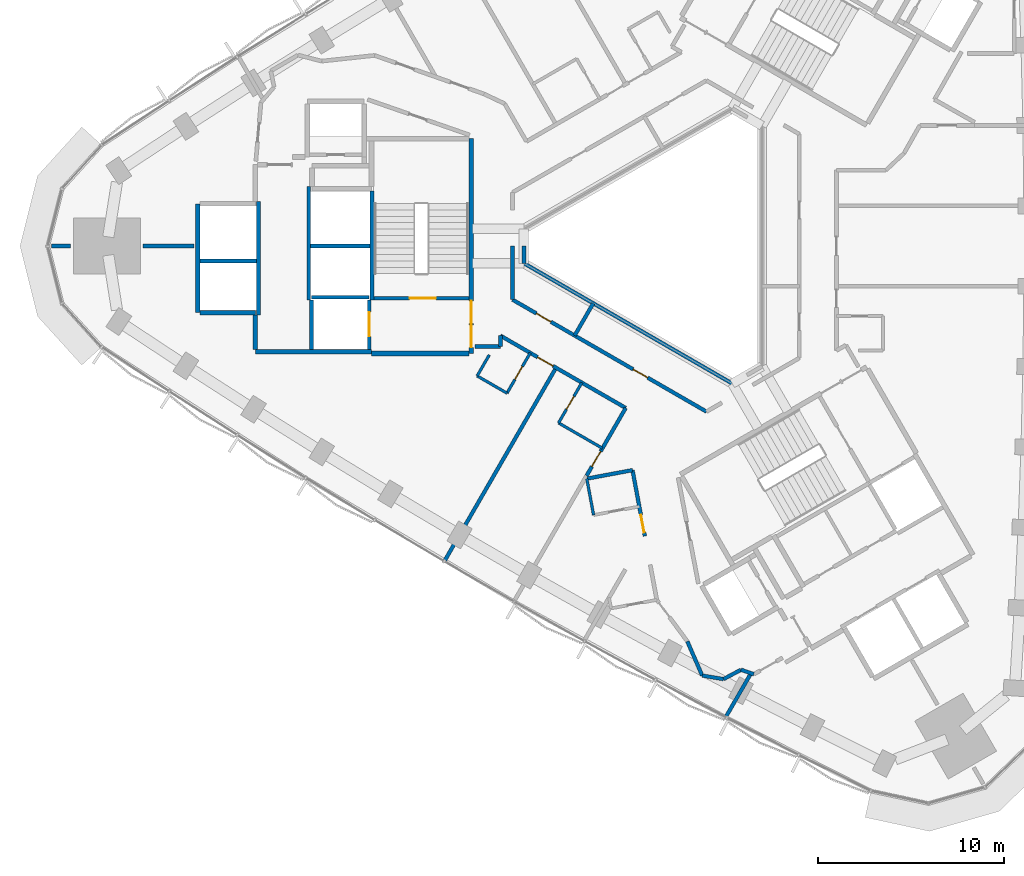
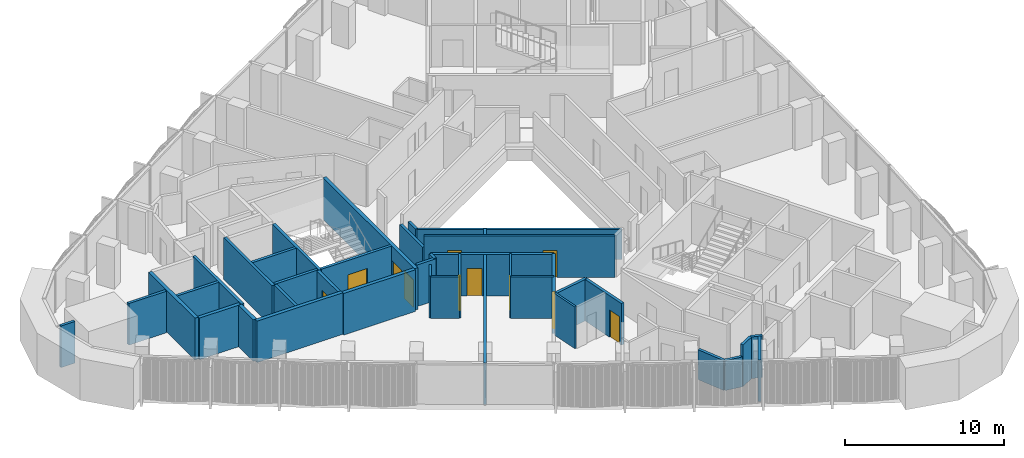
# One storey, part 8 of 15: 40 walls, 11 doors, 11 openings.
"""IFC4 building model written with IfcOpenShell, lengths in metres."""

from ifc_helpers import new_model, si_unit, direction, frame, frame_2d, origin, place, context, subcontext, project, spatial, rectangle, extrude, material, layer, layer_set, type_object, element, fill, save


model = new_model("IFC4")

# Units and contexts
model_context = context("Model", 3, precision=1e-05, world=origin(), true_north=direction((0.0, 1.0)))
body_context = subcontext(model_context, "Body", "Model", "MODEL_VIEW")
ifc_project = project(units=[si_unit("LENGTHUNIT", "METRE"), si_unit("AREAUNIT", "SQUARE_METRE"), si_unit("VOLUMEUNIT", "CUBIC_METRE"), si_unit("PLANEANGLEUNIT", "RADIAN"), si_unit("MASSUNIT", "GRAM", prefix="KILO")], contexts=[model_context])

# Site, building, storey
site_placement = place(None, origin())
site = spatial("IfcSite", under=ifc_project, at=site_placement, CompositionType="ELEMENT")
building_placement = place(site_placement, origin())
building = spatial("IfcBuilding", under=site, at=building_placement, Name="Tamra Quay Hotel Tower", CompositionType="ELEMENT")
storey_placement = place(building_placement, frame((0.0, 0.0, 136.0)))
storey = spatial("IfcBuildingStorey", under=building, at=storey_placement, Name="L33", CompositionType="ELEMENT", Elevation=136.0)

# Walls
ifc_material_1 = material(Name="Concrete M70", Category="concrete")
ifc_layer_1 = layer(ifc_material_1, 0.199951171875)
ifc_layer_set_1 = layer_set([ifc_layer_1], Name="Concrete M70 core wall 200")
wall_type_1 = type_object("IfcWallType", Name="Concrete M70 core wall 200", PredefinedType="SHEAR", material=ifc_layer_set_1)
wall_1_placement = place(storey_placement, frame((-16.162109375, 2.95068359375, 0.0), z_axis=(0.0, 0.0, 1.0), x_axis=(0.0, -1.0, 0.0)))
element("IfcWall", 1, at=wall_1_placement, inside=storey, type_object=wall_type_1, Name="CW2", PredefinedType="SHEAR", context=body_context, shape_type="SweptSolid", body=[
    extrude(rectangle(XDim=5.850830078125, YDim=0.199951171875, at=frame_2d((2.92529296875, 0.0))), origin(), (0.0, 0.0, 1.0), 3.199951171875),
])
for number, where, z_axis, x_axis, name in (
    (2, (-19.5625, -2.900146484375, 0.0), (0.0, 0.0, 1.0), (0.0, 1.0, 0.0), "CW2"),
    (3, (-22.26220703125, 2.400146484375, 0.0), (0.0, 0.0, 1.0), (0.0, -1.0, 0.0), "CW2"),
):
    element("IfcWall", number, at=place(storey_placement, frame(where, z_axis=z_axis, x_axis=x_axis)), inside=storey, type_object=wall_type_1, Name=name, PredefinedType="SHEAR", context=body_context, shape_type="SweptSolid", body=[
        extrude(rectangle(XDim=6.100341796875, YDim=0.199951171875, at=frame_2d((3.05029296875, 0.0))), origin(), (0.0, 0.0, 1.0), 3.199951171875),
    ])

# Wall, opening, door
wall_2_placement = place(storey_placement, frame((-10.96337890625, -2.800048828125, 0.0), z_axis=(0.0, 0.0, 1.0), x_axis=(-1.0, 0.0, 0.0)))
wall_2 = element("IfcWall", 4, at=wall_2_placement, inside=storey, type_object=wall_type_1, Name="CW2", PredefinedType="SHEAR", context=body_context, shape_type="SweptSolid", body=[
    extrude(rectangle(XDim=5.097900390625, YDim=0.199951171875, at=frame_2d((2.548828125, 0.0))), origin(), (0.0, 0.0, 1.0), 3.199951171875),
])
opening_1_placement = place(wall_2_placement, frame((1.77392578125, 0.0, 0.0)))
opening_1 = element("IfcOpeningElement", 5, at=opening_1_placement, cuts=wall_2, Name="Opening FD2", PredefinedType="OPENING", context=body_context, shape_type="SweptSolid", body=[
    extrude(rectangle(XDim=1.39990234375, YDim=2.10009765625, at=frame_2d((0.699951171875, 1.050048828125))), frame((0.0, 0.10986328125, 0.0), z_axis=(0.0, -1.0, 0.0), x_axis=(1.0, 0.0, 0.0)), (0.0, 0.0, 1.0), 0.219970703125),
])
ifc_material_2 = material(Name="Core door FD2 1400x2100 LH")
door_type_1 = type_object("IfcDoorType", Name="Core door FD2 1400x2100 LH", OperationType="NOTDEFINED", PredefinedType="DOOR", material=ifc_material_2)
door_1_placement = place(opening_1_placement, origin())
door_1 = element("IfcDoor", 6, at=door_1_placement, inside=storey, type_object=door_type_1, Name="FD2", OperationType="SINGLE_SWING_LEFT", OverallHeight=2.10009765625, OverallWidth=1.39990234375, PredefinedType="DOOR", context=body_context, shape_type="SweptSolid", body=[
    extrude(rectangle(XDim=1.39990234375, YDim=2.10009765625, at=frame_2d((0.699951171875, 1.050048828125))), frame((0.0, 0.02490234375, 0.0), z_axis=(0.0, -1.0, 0.0), x_axis=(1.0, 0.0, 0.0)), (0.0, 0.0, 1.0), 0.050048828125),
])
fill(opening_1, door_1)

# Walls
wall_3_placement = place(storey_placement, frame((-16.26318359375, 0.0, 0.0), z_axis=(0.0, 0.0, 1.0), x_axis=(-1.0, 0.0, 0.0)))
element("IfcWall", 7, at=wall_3_placement, inside=storey, type_object=wall_type_1, Name="CW2", PredefinedType="SHEAR", context=body_context, shape_type="SweptSolid", body=[
    extrude(rectangle(XDim=3.1982421875, YDim=0.199951171875, at=frame_2d((1.59912109375, 0.0))), origin(), (0.0, 0.0, 1.0), 3.199951171875),
])
wall_4_placement = place(storey_placement, frame((-22.36328125, -0.800048828125, 0.0), z_axis=(0.0, 0.0, 1.0), x_axis=(-1.0, 0.0, 0.0)))
element("IfcWall", 8, at=wall_4_placement, inside=storey, type_object=wall_type_1, Name="CW2", PredefinedType="SHEAR", context=body_context, shape_type="SweptSolid", body=[
    extrude(rectangle(XDim=3.048095703125, YDim=0.199951171875, at=frame_2d((1.52392578125, 0.0))), origin(), (0.0, 0.0, 1.0), 3.199951171875),
])
wall_5_placement = place(storey_placement, frame((-19.412353515625, -2.75, 0.0), z_axis=(0.0, 0.0, 1.0), x_axis=(1.0, 0.0, 0.0)))
element("IfcWall", 9, at=wall_5_placement, inside=storey, type_object=wall_type_1, Name="CW2", PredefinedType="SHEAR", context=body_context, shape_type="SweptSolid", body=[
    extrude(rectangle(XDim=3.10009765625, YDim=0.199951171875, at=frame_2d((1.550048828125, 0.0))), origin(), (0.0, 0.0, 1.0), 3.199951171875),
])

# Wall, opening, door
wall_6_placement = place(storey_placement, frame((-16.312255859375, -2.898193359375, 0.0), z_axis=(0.0, 0.0, 1.0), x_axis=(0.0, -1.0, 0.0)))
wall_6 = element("IfcWall", 10, at=wall_6_placement, inside=storey, type_object=wall_type_1, Name="CW2", PredefinedType="SHEAR", context=body_context, shape_type="SweptSolid", body=[
    extrude(rectangle(XDim=2.65087890625, YDim=0.199951171875, at=frame_2d((1.325439453125, 0.0))), origin(), (0.0, 0.0, 1.0), 3.199951171875),
])
opening_2_placement = place(wall_6_placement, frame((0.65185546875, 0.0, 0.0)))
opening_2 = element("IfcOpeningElement", 11, at=opening_2_placement, cuts=wall_6, Name="Opening LD", PredefinedType="OPENING", context=body_context, shape_type="SweptSolid", body=[
    extrude(rectangle(XDim=1.300048828125, YDim=2.10009765625, at=frame_2d((0.64990234375, 1.050048828125))), frame((0.0, 0.10986328125, 0.0), z_axis=(0.0, -1.0, 0.0), x_axis=(1.0, 0.0, 0.0)), (0.0, 0.0, 1.0), 0.219970703125),
])
ifc_material_3 = material(Name="Landing door LD 1300 sliding to left")
door_type_2 = type_object("IfcDoorType", Name="Landing door LD 1300 sliding to left", OperationType="NOTDEFINED", PredefinedType="DOOR", material=ifc_material_3)
door_2_placement = place(opening_2_placement, origin())
door_2 = element("IfcDoor", 12, at=door_2_placement, inside=storey, type_object=door_type_2, Name="LD", OperationType="SLIDING_TO_LEFT", OverallHeight=2.10009765625, OverallWidth=1.300048828125, PredefinedType="DOOR", context=body_context, shape_type="SweptSolid", body=[
    extrude(rectangle(XDim=1.300048828125, YDim=2.10009765625, at=frame_2d((0.64990234375, 1.050048828125))), frame((0.0, 0.02490234375, 0.0), z_axis=(0.0, -1.0, 0.0), x_axis=(1.0, 0.0, 0.0)), (0.0, 0.0, 1.0), 0.050048828125),
])
fill(opening_2, door_2)

# Wall
wall_7_placement = place(storey_placement, frame((-19.412353515625, -5.549072265625, 0.0), z_axis=(0.0, 0.0, 1.0), x_axis=(0.0, 1.0, 0.0)))
element("IfcWall", 13, at=wall_7_placement, inside=storey, type_object=wall_type_1, Name="CW2", PredefinedType="SHEAR", context=body_context, shape_type="SweptSolid", body=[
    extrude(rectangle(XDim=2.65087890625, YDim=0.199951171875, at=frame_2d((1.325439453125, 0.0))), origin(), (0.0, 0.0, 1.0), 3.199951171875),
])

# Wall, openings, doors
ifc_layer_2 = layer(ifc_material_1, 0.25)
ifc_layer_set_2 = layer_set([ifc_layer_2], Name="Concrete M70 core wall 250")
wall_type_2 = type_object("IfcWallType", Name="Concrete M70 core wall 250", PredefinedType="SHEAR", material=ifc_layer_set_2)
wall_8_placement = place(storey_placement, frame((-10.83740234375, 5.77490234375, 0.0), z_axis=(0.0, 0.0, 1.0), x_axis=(0.0, -1.0, 0.0)))
wall_8 = element("IfcWall", 14, at=wall_8_placement, inside=storey, type_object=wall_type_2, Name="CW1", PredefinedType="SHEAR", context=body_context, shape_type="SweptSolid", body=[
    extrude(rectangle(XDim=11.5498046875, YDim=0.25, at=frame_2d((5.77490234375, 0.0))), origin(), (0.0, 0.0, 1.0), 3.199951171875),
])
opening_3_placement = place(wall_8_placement, frame((10.02490234375, 0.0, 0.0)))
opening_3 = element("IfcOpeningElement", 15, at=opening_3_placement, cuts=wall_8, Name="Opening FD1", PredefinedType="OPENING", context=body_context, shape_type="SweptSolid", body=[
    extrude(rectangle(XDim=1.199951171875, YDim=2.10009765625, at=frame_2d((0.60009765625, 1.050048828125))), frame((0.0, 0.135009765625, 0.0), z_axis=(0.0, -1.0, 0.0), x_axis=(1.0, 0.0, 0.0)), (0.0, 0.0, 1.0), 0.27001953125),
])
opening_4_placement = place(wall_8_placement, frame((8.72509765625, 0.0, 0.0)))
opening_4 = element("IfcOpeningElement", 16, at=opening_4_placement, cuts=wall_8, Name="Opening FD1", PredefinedType="OPENING", context=body_context, shape_type="SweptSolid", body=[
    extrude(rectangle(XDim=1.199951171875, YDim=2.10009765625, at=frame_2d((0.60009765625, 1.050048828125))), frame((0.0, 0.135009765625, 0.0), z_axis=(0.0, -1.0, 0.0), x_axis=(1.0, 0.0, 0.0)), (0.0, 0.0, 1.0), 0.27001953125),
])
ifc_material_4 = material(Name="Core door FD1 1200x2100 LH")
door_type_3 = type_object("IfcDoorType", Name="Core door FD1 1200x2100 LH", OperationType="NOTDEFINED", PredefinedType="DOOR", material=ifc_material_4)
door_3_placement = place(opening_3_placement, origin())
door_3 = element("IfcDoor", 17, at=door_3_placement, inside=storey, type_object=door_type_3, Name="FD1", OperationType="SINGLE_SWING_LEFT", OverallHeight=2.10009765625, OverallWidth=1.199951171875, PredefinedType="DOOR", context=body_context, shape_type="SweptSolid", body=[
    extrude(rectangle(XDim=1.199951171875, YDim=2.10009765625, at=frame_2d((0.60009765625, 1.050048828125))), frame((0.0, 0.02490234375, 0.0), z_axis=(0.0, -1.0, 0.0), x_axis=(1.0, 0.0, 0.0)), (0.0, 0.0, 1.0), 0.050048828125),
])
fill(opening_3, door_3)
ifc_material_5 = material(Name="Core door FD1 1200x2100 RH")
door_type_4 = type_object("IfcDoorType", Name="Core door FD1 1200x2100 RH", OperationType="NOTDEFINED", PredefinedType="DOOR", material=ifc_material_5)
door_4_placement = place(opening_4_placement, origin())
door_4 = element("IfcDoor", 18, at=door_4_placement, inside=storey, type_object=door_type_4, Name="FD1", OperationType="SINGLE_SWING_RIGHT", OverallHeight=2.10009765625, OverallWidth=1.199951171875, PredefinedType="DOOR", context=body_context, shape_type="SweptSolid", body=[
    extrude(rectangle(XDim=1.199951171875, YDim=2.10009765625, at=frame_2d((0.60009765625, 1.050048828125))), frame((0.0, 0.02490234375, 0.0), z_axis=(0.0, -1.0, 0.0), x_axis=(1.0, 0.0, 0.0)), (0.0, 0.0, 1.0), 0.050048828125),
])
fill(opening_4, door_4)

# Walls
wall_9_placement = place(storey_placement, frame((-16.187255859375, -5.675048828125, 0.0), z_axis=(0.0, 0.0, 1.0), x_axis=(-1.0, 0.0, 0.0)))
element("IfcWall", 19, at=wall_9_placement, inside=storey, type_object=wall_type_2, Name="CW1", PredefinedType="SHEAR", context=body_context, shape_type="SweptSolid", body=[
    extrude(rectangle(XDim=6.25, YDim=0.25, at=frame_2d((3.125, 0.0))), origin(), (0.0, 0.0, 1.0), 3.199951171875),
])
wall_10_placement = place(storey_placement, frame((-25.537353515625, -3.574951171875, 0.0), z_axis=(0.0, 0.0, 1.0), x_axis=(0.0, 1.0, 0.0)))
element("IfcWall", 20, at=wall_10_placement, inside=storey, type_object=wall_type_2, Name="CW1", PredefinedType="SHEAR", context=body_context, shape_type="SweptSolid", body=[
    extrude(rectangle(XDim=5.849853515625, YDim=0.25, at=frame_2d((2.9248046875, 0.0))), origin(), (0.0, 0.0, 1.0), 3.199951171875),
])
wall_11_placement = place(storey_placement, frame((-10.962646484375, -5.77490234375, 0.0), z_axis=(0.0, 0.0, 1.0), x_axis=(-1.0, 0.0, 0.0)))
element("IfcWall", 21, at=wall_11_placement, inside=storey, type_object=wall_type_2, Name="CW1", PredefinedType="SHEAR", context=body_context, shape_type="SweptSolid", body=[
    extrude(rectangle(XDim=5.224609375, YDim=0.25, at=frame_2d((2.6123046875, 0.0))), origin(), (0.0, 0.0, 1.0), 3.199951171875),
])
wall_12_placement = place(storey_placement, frame((-22.437255859375, -3.574951171875, 0.0), z_axis=(0.0, 0.0, 1.0), x_axis=(-1.0, 0.0, 0.0)))
element("IfcWall", 22, at=wall_12_placement, inside=storey, type_object=wall_type_2, Name="CW1", PredefinedType="SHEAR", context=body_context, shape_type="SweptSolid", body=[
    extrude(rectangle(XDim=2.974609375, YDim=0.25, at=frame_2d((1.4873046875, 0.0))), origin(), (0.0, 0.0, 1.0), 3.199951171875),
])
wall_13_placement = place(storey_placement, frame((-22.437255859375, -5.549560546875, 0.0), z_axis=(0.0, 0.0, 1.0), x_axis=(0.0, 1.0, 0.0)))
element("IfcWall", 23, at=wall_13_placement, inside=storey, type_object=wall_type_2, Name="CW1", PredefinedType="SHEAR", context=body_context, shape_type="SweptSolid", body=[
    extrude(rectangle(XDim=1.84912109375, YDim=0.25, at=frame_2d((0.924560546875, 0.0))), origin(), (0.0, 0.0, 1.0), 3.199951171875),
])
ifc_material_6 = material(Name="Partition corridor wall")
ifc_layer_3 = layer(ifc_material_6, 0.199951171875)
ifc_layer_set_3 = layer_set([ifc_layer_3], Name="Partition corridor wall")
wall_type_3 = type_object("IfcWallType", Name="Partition corridor wall", PredefinedType="PARTITIONING", material=ifc_layer_set_3)
wall_14_placement = place(storey_placement, frame((-10.616943359375, -5.39990234375, 0.0), z_axis=(0.0, 0.0, 1.0), x_axis=(1.0, 0.0, 0.0)))
element("IfcWall", 24, at=wall_14_placement, inside=storey, type_object=wall_type_3, Name="W-C", PredefinedType="PARTITIONING", context=body_context, shape_type="SweptSolid", body=[
    extrude(rectangle(XDim=1.35498046875, YDim=0.199951171875, at=frame_2d((0.677490234375, 0.0))), origin(), (0.0, 0.0, 1.0), 3.199951171875),
])

# Wall, opening, door
wall_15_placement = place(storey_placement, frame((-9.26220703125, -4.814453125, 0.0), z_axis=(0.0, 0.0, 1.0), x_axis=(0.866109782156, -0.499853823887, 0.0)))
wall_15 = element("IfcWall", 25, at=wall_15_placement, inside=storey, type_object=wall_type_3, Name="W-C", PredefinedType="PARTITIONING", context=body_context, shape_type="SweptSolid", body=[
    extrude(rectangle(XDim=7.775634765625, YDim=0.199951171875, at=frame_2d((3.8876953125, 0.0))), origin(), (0.0, 0.0, 1.0), 3.199951171875),
])
opening_5_placement = place(wall_15_placement, frame((2.314208984375, 0.0, 0.0)))
opening_5 = element("IfcOpeningElement", 26, at=opening_5_placement, cuts=wall_15, Name="Opening L33-D014", PredefinedType="OPENING", context=body_context, shape_type="SweptSolid", body=[
    extrude(rectangle(XDim=0.949951171875, YDim=2.10009765625, at=frame_2d((0.47509765625, 1.050048828125))), frame((0.0, 0.10986328125, 0.0), z_axis=(0.0, -1.0, 0.0), x_axis=(1.0, 0.0, 0.0)), (0.0, 0.0, 1.0), 0.219970703125),
])
ifc_material_7 = material(Name="Door guest room 950x2100")
door_type_5 = type_object("IfcDoorType", Name="Door guest room 950x2100", OperationType="NOTDEFINED", PredefinedType="DOOR", material=ifc_material_7)
door_5_placement = place(opening_5_placement, frame((0.949951171875, 0.0, 0.0), z_axis=(0.0, 0.0, 1.0), x_axis=(-1.0, 0.0, 0.0)))
door_5 = element("IfcDoor", 27, at=door_5_placement, inside=storey, type_object=door_type_5, Name="L33-D014", OperationType="SINGLE_SWING_LEFT", OverallHeight=2.10009765625, OverallWidth=0.949951171875, PredefinedType="DOOR", context=body_context, shape_type="SweptSolid", body=[
    extrude(rectangle(XDim=0.949951171875, YDim=2.10009765625, at=frame_2d((0.47509765625, 1.050048828125))), frame((0.0, 0.02490234375, 0.0), z_axis=(0.0, -1.0, 0.0), x_axis=(1.0, 0.0, 0.0)), (0.0, 0.0, 1.0), 0.050048828125),
])
fill(opening_5, door_5)

# Walls
wall_16_placement = place(storey_placement, frame((-9.261962890625, -5.39990234375, 0.0), z_axis=(0.0, 0.0, 1.0), x_axis=(0.0, 1.0, 0.0)))
element("IfcWall", 28, at=wall_16_placement, inside=storey, type_object=wall_type_3, Name="W-C", PredefinedType="PARTITIONING", context=body_context, shape_type="SweptSolid", body=[
    extrude(rectangle(XDim=0.5859375, YDim=0.199951171875, at=frame_2d((0.29296875, 0.0))), origin(), (0.0, 0.0, 1.0), 3.199951171875),
])
wall_17_placement = place(storey_placement, frame((-8.612060546875, -2.8798828125, 0.0), z_axis=(0.0, 0.0, 1.0), x_axis=(0.0, 1.0, 0.0)))
element("IfcWall", 29, at=wall_17_placement, inside=storey, type_object=wall_type_3, Name="W-C", PredefinedType="PARTITIONING", context=body_context, shape_type="SweptSolid", body=[
    extrude(rectangle(XDim=2.890869140625, YDim=0.199951171875, at=frame_2d((1.4453125, 0.0))), origin(), (0.0, 0.0, 1.0), 2.300048828125),
])

# Wall, openings, doors
wall_18_placement = place(storey_placement, frame((-8.612060546875, -2.8798828125, 0.0), z_axis=(0.0, 0.0, 1.0), x_axis=(0.866035279512, -0.499982894348, 0.0)))
wall_18 = element("IfcWall", 30, at=wall_18_placement, inside=storey, type_object=wall_type_3, Name="W-C", PredefinedType="PARTITIONING", context=body_context, shape_type="SweptSolid", body=[
    extrude(rectangle(XDim=12.03662109375, YDim=0.199951171875, at=frame_2d((6.018310546875, 0.0))), origin(), (0.0, 0.0, 1.0), 3.199951171875),
])
opening_6_placement = place(wall_18_placement, frame((1.484130859375, 0.0, 0.0)))
opening_6 = element("IfcOpeningElement", 31, at=opening_6_placement, cuts=wall_18, Name="Opening L33-D028", PredefinedType="OPENING", context=body_context, shape_type="SweptSolid", body=[
    extrude(rectangle(XDim=0.89990234375, YDim=2.10009765625, at=frame_2d((0.449951171875, 1.050048828125))), frame((0.0, 0.10986328125, 0.0), z_axis=(0.0, -1.0, 0.0), x_axis=(1.0, 0.0, 0.0)), (0.0, 0.0, 1.0), 0.219970703125),
])
opening_7_placement = place(wall_18_placement, frame((7.49072265625, 0.0, 0.0)))
opening_7 = element("IfcOpeningElement", 32, at=opening_7_placement, cuts=wall_18, Name="Opening L33-D029", PredefinedType="OPENING", context=body_context, shape_type="SweptSolid", body=[
    extrude(rectangle(XDim=0.89990234375, YDim=2.10009765625, at=frame_2d((0.449951171875, 1.050048828125))), frame((0.0, 0.10986328125, 0.0), z_axis=(0.0, -1.0, 0.0), x_axis=(1.0, 0.0, 0.0)), (0.0, 0.0, 1.0), 0.219970703125),
])
ifc_material_8 = material(Name="Door service room 900x2100")
door_type_6 = type_object("IfcDoorType", Name="Door service room 900x2100", OperationType="NOTDEFINED", PredefinedType="DOOR", material=ifc_material_8)
door_6_placement = place(opening_6_placement, origin())
door_6 = element("IfcDoor", 33, at=door_6_placement, inside=storey, type_object=door_type_6, Name="L33-D028", OperationType="SINGLE_SWING_LEFT", OverallHeight=2.10009765625, OverallWidth=0.89990234375, PredefinedType="DOOR", context=body_context, shape_type="SweptSolid", body=[
    extrude(rectangle(XDim=0.89990234375, YDim=2.10009765625, at=frame_2d((0.449951171875, 1.050048828125))), frame((0.0, 0.02490234375, 0.0), z_axis=(0.0, -1.0, 0.0), x_axis=(1.0, 0.0, 0.0)), (0.0, 0.0, 1.0), 0.050048828125),
])
fill(opening_6, door_6)
door_7_placement = place(opening_7_placement, origin())
door_7 = element("IfcDoor", 34, at=door_7_placement, inside=storey, type_object=door_type_6, Name="L33-D029", OperationType="SINGLE_SWING_LEFT", OverallHeight=2.10009765625, OverallWidth=0.89990234375, PredefinedType="DOOR", context=body_context, shape_type="SweptSolid", body=[
    extrude(rectangle(XDim=0.89990234375, YDim=2.10009765625, at=frame_2d((0.449951171875, 1.050048828125))), frame((0.0, 0.02490234375, 0.0), z_axis=(0.0, -1.0, 0.0), x_axis=(1.0, 0.0, 0.0)), (0.0, 0.0, 1.0), 0.050048828125),
])
fill(opening_7, door_7)

# Wall, opening, door
wall_19_placement = place(storey_placement, frame((-4.62890625, -12.341064453125, 0.0), z_axis=(0.0, 0.0, 1.0), x_axis=(0.500069467685, 0.865985292883, 0.0)))
wall_19 = element("IfcWall", 35, at=wall_19_placement, inside=storey, type_object=wall_type_3, Name="W-C", PredefinedType="PARTITIONING", context=body_context, shape_type="SweptSolid", body=[
    extrude(rectangle(XDim=4.2021484375, YDim=0.199951171875, at=frame_2d((2.10107421875, 0.0))), origin(), (0.0, 0.0, 1.0), 3.199951171875),
])
opening_8_placement = place(wall_19_placement, frame((0.563720703125, 0.0, 0.0)))
opening_8 = element("IfcOpeningElement", 36, at=opening_8_placement, cuts=wall_19, Name="Opening L33-D016", PredefinedType="OPENING", context=body_context, shape_type="SweptSolid", body=[
    extrude(rectangle(XDim=0.949951171875, YDim=2.10009765625, at=frame_2d((0.47509765625, 1.050048828125))), frame((0.0, 0.10986328125, 0.0), z_axis=(0.0, -1.0, 0.0), x_axis=(1.0, 0.0, 0.0)), (0.0, 0.0, 1.0), 0.219970703125),
])
door_8_placement = place(opening_8_placement, origin())
door_8 = element("IfcDoor", 37, at=door_8_placement, inside=storey, type_object=door_type_5, Name="L33-D016", OperationType="SINGLE_SWING_LEFT", OverallHeight=2.10009765625, OverallWidth=0.949951171875, PredefinedType="DOOR", context=body_context, shape_type="SweptSolid", body=[
    extrude(rectangle(XDim=0.949951171875, YDim=2.10009765625, at=frame_2d((0.47509765625, 1.050048828125))), frame((0.0, 0.02490234375, 0.0), z_axis=(0.0, -1.0, 0.0), x_axis=(1.0, 0.0, 0.0)), (0.0, 0.0, 1.0), 0.050048828125),
])
fill(opening_8, door_8)

# Wall
wall_20_placement = place(storey_placement, frame((-4.60009765625, -12.498046875, 0.0), z_axis=(0.0, 0.0, 1.0), x_axis=(0.982950102255, 0.183872500602, 0.0)))
element("IfcWall", 38, at=wall_20_placement, inside=storey, type_object=wall_type_3, Name="W-C", PredefinedType="PARTITIONING", context=body_context, shape_type="SweptSolid", body=[
    extrude(rectangle(XDim=2.480224609375, YDim=0.199951171875, at=frame_2d((1.240234375, 0.0))), origin(), (0.0, 0.0, 1.0), 3.199951171875),
])

# Wall, opening, door
wall_21_placement = place(storey_placement, frame((-2.16259765625, -12.0419921875, 0.0), z_axis=(0.0, 0.0, 1.0), x_axis=(0.183945287989, -0.982936483719, 0.0)))
wall_21 = element("IfcWall", 39, at=wall_21_placement, inside=storey, type_object=wall_type_3, Name="W-C", PredefinedType="PARTITIONING", context=body_context, shape_type="SweptSolid", body=[
    extrude(rectangle(XDim=3.607421875, YDim=0.199951171875, at=frame_2d((1.8037109375, 0.0))), origin(), (0.0, 0.0, 1.0), 3.199951171875),
])
opening_9_placement = place(wall_21_placement, frame((2.45751953125, 0.0, 0.0)))
opening_9 = element("IfcOpeningElement", 40, at=opening_9_placement, cuts=wall_21, Name="Opening L33-D018", PredefinedType="OPENING", context=body_context, shape_type="SweptSolid", body=[
    extrude(rectangle(XDim=0.949951171875, YDim=2.10009765625, at=frame_2d((0.47509765625, 1.050048828125))), frame((0.0, 0.10986328125, 0.0), z_axis=(0.0, -1.0, 0.0), x_axis=(1.0, 0.0, 0.0)), (0.0, 0.0, 1.0), 0.219970703125),
])
door_9_placement = place(opening_9_placement, frame((0.949951171875, 0.0, 0.0), z_axis=(0.0, 0.0, 1.0), x_axis=(-1.0, 0.0, 0.0)))
door_9 = element("IfcDoor", 41, at=door_9_placement, inside=storey, type_object=door_type_5, Name="L33-D018", OperationType="SINGLE_SWING_LEFT", OverallHeight=2.10009765625, OverallWidth=0.949951171875, PredefinedType="DOOR", context=body_context, shape_type="SweptSolid", body=[
    extrude(rectangle(XDim=0.949951171875, YDim=2.10009765625, at=frame_2d((0.47509765625, 1.050048828125))), frame((0.0, 0.02490234375, 0.0), z_axis=(0.0, -1.0, 0.0), x_axis=(1.0, 0.0, 0.0)), (0.0, 0.0, 1.0), 0.050048828125),
])
fill(opening_9, door_9)

# Walls
wall_22_placement = place(storey_placement, frame((0.784912109375, -21.24609375, 0.0), z_axis=(0.0, 0.0, 1.0), x_axis=(0.398365586627, -0.917226721913, 0.0)))
element("IfcWall", 42, at=wall_22_placement, inside=storey, type_object=wall_type_3, Name="W-C", PredefinedType="PARTITIONING", context=body_context, shape_type="SweptSolid", body=[
    extrude(rectangle(XDim=2.005859375, YDim=0.199951171875, at=frame_2d((1.0029296875, 0.0))), origin(), (0.0, 0.0, 1.0), 2.300048828125),
])
wall_23_placement = place(storey_placement, frame((1.583984375, -23.0859375, 0.0), z_axis=(0.0, 0.0, 1.0), x_axis=(0.986654221629, -0.162829502674, 0.0)))
element("IfcWall", 43, at=wall_23_placement, inside=storey, type_object=wall_type_3, Name="W-C", PredefinedType="PARTITIONING", context=body_context, shape_type="SweptSolid", body=[
    extrude(rectangle(XDim=1.160400390625, YDim=0.199951171875, at=frame_2d((0.580078125, 0.0))), origin(), (0.0, 0.0, 1.0), 2.300048828125),
])
wall_24_placement = place(storey_placement, frame((2.72998046875, -23.27490234375, 0.0), z_axis=(0.0, 0.0, 1.0), x_axis=(0.880927165636, 0.473251866182, 0.0)))
element("IfcWall", 44, at=wall_24_placement, inside=storey, type_object=wall_type_3, Name="W-C", PredefinedType="PARTITIONING", context=body_context, shape_type="SweptSolid", body=[
    extrude(rectangle(XDim=1.064697265625, YDim=0.199951171875, at=frame_2d((0.5322265625, 0.0))), origin(), (0.0, 0.0, 1.0), 3.199951171875),
])
wall_25_placement = place(storey_placement, frame((3.66796875, -22.77099609375, 0.0), z_axis=(0.0, 0.0, 1.0), x_axis=(0.944447470761, -0.328662402738, 0.0)))
element("IfcWall", 45, at=wall_25_placement, inside=storey, type_object=wall_type_3, Name="W-C", PredefinedType="PARTITIONING", context=body_context, shape_type="SweptSolid", body=[
    extrude(rectangle(XDim=0.734619140625, YDim=0.199951171875, at=frame_2d((0.3671875, 0.0))), origin(), (0.0, 0.0, 1.0), 3.199951171875),
])
ifc_material_9 = material(Name="Partition en-suite wall")
ifc_layer_4 = layer(ifc_material_9, 0.14990234375)
ifc_layer_set_4 = layer_set([ifc_layer_4], Name="Partition en-suite wall")
wall_type_4 = type_object("IfcWallType", Name="Partition en-suite wall", PredefinedType="PARTITIONING", material=ifc_layer_set_4)
wall_26_placement = place(storey_placement, frame((-10.510986328125, -6.97705078125, 0.0), z_axis=(0.0, 0.0, 1.0), x_axis=(0.500274472704, 0.865866878891, 0.0)))
element("IfcWall", 46, at=wall_26_placement, inside=storey, type_object=wall_type_4, Name="W-E", PredefinedType="PARTITIONING", context=body_context, shape_type="SweptSolid", body=[
    extrude(rectangle(XDim=1.301513671875, YDim=0.14990234375, at=frame_2d((0.65087890625, 0.0))), origin(), (0.0, 0.0, 1.0), 3.199951171875),
])
wall_27_placement = place(storey_placement, frame((-10.510009765625, -6.97998046875, 0.0), z_axis=(0.0, 0.0, 1.0), x_axis=(0.865965533559, -0.500103683937, 0.0)))
element("IfcWall", 47, at=wall_27_placement, inside=storey, type_object=wall_type_4, Name="W-E", PredefinedType="PARTITIONING", context=body_context, shape_type="SweptSolid", body=[
    extrude(rectangle(XDim=1.84765625, YDim=0.14990234375, at=frame_2d((0.923828125, 0.0))), origin(), (0.0, 0.0, 1.0), 3.199951171875),
])

# Wall, opening, door
wall_28_placement = place(storey_placement, frame((-8.906982421875, -7.903076171875, 0.0), z_axis=(0.0, 0.0, 1.0), x_axis=(0.499925626596, 0.866068339032, 0.0)))
wall_28 = element("IfcWall", 48, at=wall_28_placement, inside=storey, type_object=wall_type_4, Name="W-E", PredefinedType="PARTITIONING", context=body_context, shape_type="SweptSolid", body=[
    extrude(rectangle(XDim=2.49658203125, YDim=0.14990234375, at=frame_2d((1.248291015625, 0.0))), origin(), (0.0, 0.0, 1.0), 3.199951171875),
])
opening_10_placement = place(wall_28_placement, frame((0.847900390625, 0.0, 0.0)))
opening_10 = element("IfcOpeningElement", 49, at=opening_10_placement, cuts=wall_28, Name="Opening L33-D015", PredefinedType="OPENING", context=body_context, shape_type="SweptSolid", body=[
    extrude(rectangle(XDim=0.800048828125, YDim=2.10009765625, at=frame_2d((0.39990234375, 1.050048828125))), frame((0.0, 0.0849609375, 0.0), z_axis=(0.0, -1.0, 0.0), x_axis=(1.0, 0.0, 0.0)), (0.0, 0.0, 1.0), 0.169921875),
])
ifc_material_10 = material(Name="Door en-suite 800x2100")
door_type_7 = type_object("IfcDoorType", Name="Door en-suite 800x2100", OperationType="NOTDEFINED", PredefinedType="DOOR", material=ifc_material_10)
door_10_placement = place(opening_10_placement, origin())
door_10 = element("IfcDoor", 50, at=door_10_placement, inside=storey, type_object=door_type_7, Name="L33-D015", OperationType="SINGLE_SWING_LEFT", OverallHeight=2.10009765625, OverallWidth=0.800048828125, PredefinedType="DOOR", context=body_context, shape_type="SweptSolid", body=[
    extrude(rectangle(XDim=0.800048828125, YDim=2.10009765625, at=frame_2d((0.39990234375, 1.050048828125))), frame((0.0, 0.02490234375, 0.0), z_axis=(0.0, -1.0, 0.0), x_axis=(1.0, 0.0, 0.0)), (0.0, 0.0, 1.0), 0.050048828125),
])
fill(opening_10, door_10)

# Wall
wall_29_placement = place(storey_placement, frame((-6.13720703125, -9.50537109375, 0.0), z_axis=(0.0, 0.0, 1.0), x_axis=(0.866000497904, -0.50004313577, 0.0)))
element("IfcWall", 51, at=wall_29_placement, inside=storey, type_object=wall_type_4, Name="W-E", PredefinedType="PARTITIONING", context=body_context, shape_type="SweptSolid", body=[
    extrude(rectangle(XDim=2.723876953125, YDim=0.14990234375, at=frame_2d((1.36181640625, 0.0))), origin(), (0.0, 0.0, 1.0), 3.199951171875),
])

# Wall, opening, door
wall_30_placement = place(storey_placement, frame((-6.136962890625, -9.5048828125, 0.0), z_axis=(0.0, 0.0, 1.0), x_axis=(0.500339416332, 0.86582935297, 0.0)))
wall_30 = element("IfcWall", 52, at=wall_30_placement, inside=storey, type_object=wall_type_4, Name="W-E", PredefinedType="PARTITIONING", context=body_context, shape_type="SweptSolid", body=[
    extrude(rectangle(XDim=2.500244140625, YDim=0.14990234375, at=frame_2d((1.25, 0.0))), origin(), (0.0, 0.0, 1.0), 3.199951171875),
])
opening_11_placement = place(wall_30_placement, frame((0.85009765625, 0.0, 0.0)))
opening_11 = element("IfcOpeningElement", 53, at=opening_11_placement, cuts=wall_30, Name="Opening L33-D017", PredefinedType="OPENING", context=body_context, shape_type="SweptSolid", body=[
    extrude(rectangle(XDim=0.800048828125, YDim=2.10009765625, at=frame_2d((0.39990234375, 1.050048828125))), frame((0.0, 0.0849609375, 0.0), z_axis=(0.0, -1.0, 0.0), x_axis=(1.0, 0.0, 0.0)), (0.0, 0.0, 1.0), 0.169921875),
])
door_11_placement = place(opening_11_placement, frame((0.800048828125, 0.0, 0.0), z_axis=(0.0, 0.0, 1.0), x_axis=(-1.0, 0.0, 0.0)))
door_11 = element("IfcDoor", 54, at=door_11_placement, inside=storey, type_object=door_type_7, Name="L33-D017", OperationType="SINGLE_SWING_LEFT", OverallHeight=2.10009765625, OverallWidth=0.800048828125, PredefinedType="DOOR", context=body_context, shape_type="SweptSolid", body=[
    extrude(rectangle(XDim=0.800048828125, YDim=2.10009765625, at=frame_2d((0.39990234375, 1.050048828125))), frame((0.0, 0.02490234375, 0.0), z_axis=(0.0, -1.0, 0.0), x_axis=(1.0, 0.0, 0.0)), (0.0, 0.0, 1.0), 0.050048828125),
])
fill(opening_11, door_11)

# Walls
wall_31_placement = place(storey_placement, frame((-4.618896484375, -12.501953125, 0.0), z_axis=(0.0, 0.0, 1.0), x_axis=(0.183517674038, -0.983016410502, 0.0)))
element("IfcWall", 55, at=wall_31_placement, inside=storey, type_object=wall_type_4, Name="W-E", PredefinedType="PARTITIONING", context=body_context, shape_type="SweptSolid", body=[
    extrude(rectangle(XDim=1.98876953125, YDim=0.14990234375, at=frame_2d((0.994384765625, 0.0))), origin(), (0.0, 0.0, 1.0), 3.199951171875),
])
ifc_material_11 = material(Name="Partition party wall")
ifc_layer_5 = layer(ifc_material_11, 0.199951171875)
ifc_layer_set_5 = layer_set([ifc_layer_5], Name="Partition party wall")
wall_type_5 = type_object("IfcWallType", Name="Partition party wall", PredefinedType="PARTITIONING", material=ifc_layer_set_5)
wall_32_placement = place(storey_placement, frame((-33.382080078125, 0.0, 0.0), z_axis=(0.0, 0.0, 1.0), x_axis=(1.0, 0.0, 0.0)))
element("IfcWall", 56, at=wall_32_placement, inside=storey, type_object=wall_type_5, Name="W-P", PredefinedType="PARTITIONING", context=body_context, shape_type="SweptSolid", body=[
    extrude(rectangle(XDim=1.01806640625, YDim=0.199951171875, at=frame_2d((0.509033203125, 0.0))), origin(), (0.0, 0.0, 1.0), 3.199951171875),
])
wall_33_placement = place(storey_placement, frame((-28.464111328125, 0.0, 0.0), z_axis=(0.0, 0.0, 1.0), x_axis=(1.0, 0.0, 0.0)))
element("IfcWall", 57, at=wall_33_placement, inside=storey, type_object=wall_type_5, Name="W-P", PredefinedType="PARTITIONING", context=body_context, shape_type="SweptSolid", body=[
    extrude(rectangle(XDim=2.741943359375, YDim=0.199951171875, at=frame_2d((1.37109375, 0.0))), origin(), (0.0, 0.0, 1.0), 3.199951171875),
])
wall_34_placement = place(storey_placement, frame((-12.278076171875, -16.946044921875, 0.0), z_axis=(0.0, 0.0, 1.0), x_axis=(0.499887212932, 0.866090511637, 0.0)))
element("IfcWall", 58, at=wall_34_placement, inside=storey, type_object=wall_type_5, Name="W-P", PredefinedType="PARTITIONING", context=body_context, shape_type="SweptSolid", body=[
    extrude(rectangle(XDim=12.014892578125, YDim=0.199951171875, at=frame_2d((6.00732421875, 0.0))), origin(), (0.0, 0.0, 1.0), 3.199951171875),
])
wall_35_placement = place(storey_placement, frame((-8.0, -0.924072265625, 0.0), z_axis=(0.0, 0.0, 1.0), x_axis=(0.0, 1.0, 0.0)))
element("IfcWall", 59, at=wall_35_placement, inside=storey, type_object=wall_type_5, Name="W-P", PredefinedType="PARTITIONING", context=body_context, shape_type="SweptSolid", body=[
    extrude(rectangle(XDim=0.93603515625, YDim=0.199951171875, at=frame_2d((0.468017578125, 0.0))), origin(), (0.0, 0.0, 1.0), 2.300048828125),
])
wall_36_placement = place(storey_placement, frame((-8.0, -0.924072265625, 0.0), z_axis=(0.0, 0.0, 1.0), x_axis=(0.86604129137, -0.499972480886, 0.0)))
element("IfcWall", 60, at=wall_36_placement, inside=storey, type_object=wall_type_5, Name="W-P", PredefinedType="PARTITIONING", context=body_context, shape_type="SweptSolid", body=[
    extrude(rectangle(XDim=12.932373046875, YDim=0.199951171875, at=frame_2d((6.46630859375, 0.0))), origin(), (0.0, 0.0, 1.0), 2.300048828125),
])
wall_37_placement = place(storey_placement, frame((-5.272216796875, -4.807861328125, 0.0), z_axis=(0.0, 0.0, 1.0), x_axis=(0.499880961361, 0.866094119867, 0.0)))
element("IfcWall", 61, at=wall_37_placement, inside=storey, type_object=wall_type_5, Name="W-P", PredefinedType="PARTITIONING", context=body_context, shape_type="SweptSolid", body=[
    extrude(rectangle(XDim=2.0, YDim=0.199951171875, at=frame_2d((1.0, 0.0))), origin(), (0.0, 0.0, 1.0), 2.300048828125),
])
wall_38_placement = place(storey_placement, frame((2.845458984375, -25.321044921875, 0.0), z_axis=(0.0, 0.0, 1.0), x_axis=(0.499942002849, 0.866058885866, 0.0)))
element("IfcWall", 62, at=wall_38_placement, inside=storey, type_object=wall_type_5, Name="W-P", PredefinedType="PARTITIONING", context=body_context, shape_type="SweptSolid", body=[
    extrude(rectangle(XDim=2.727294921875, YDim=0.199951171875, at=frame_2d((1.36376953125, 0.0))), origin(), (0.0, 0.0, 1.0), 3.199951171875),
])

save(model, "model.ifc")
